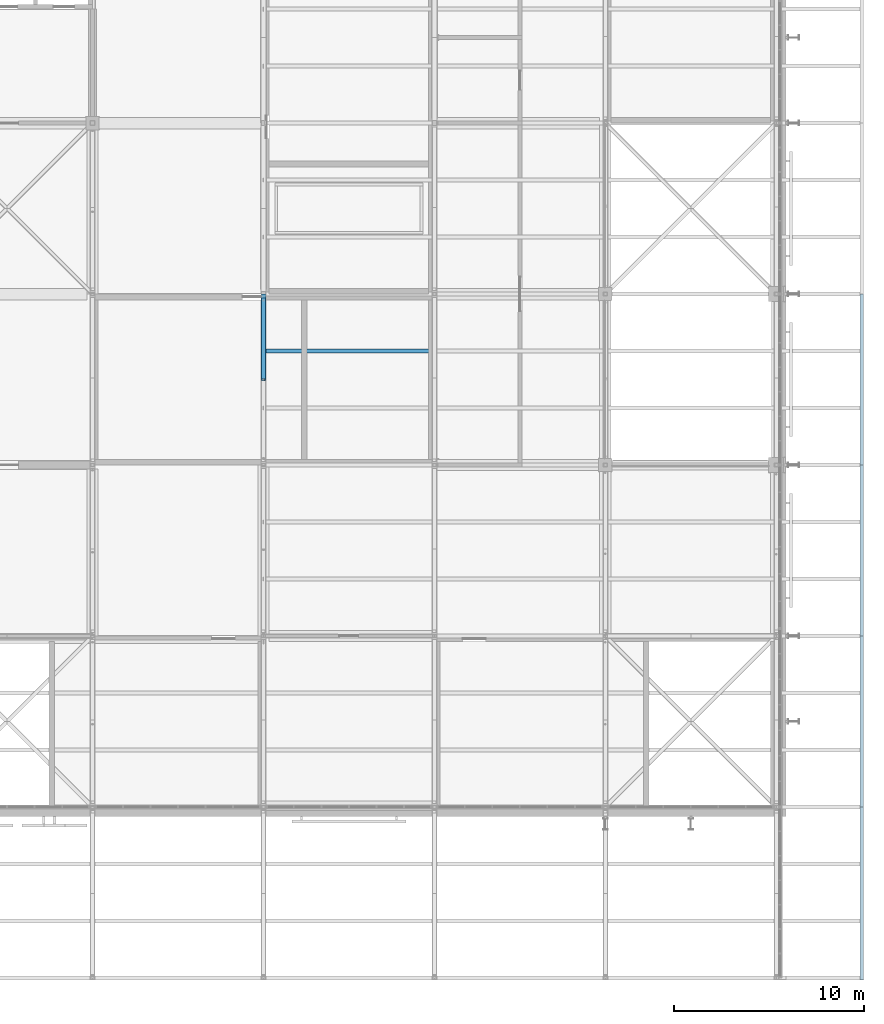
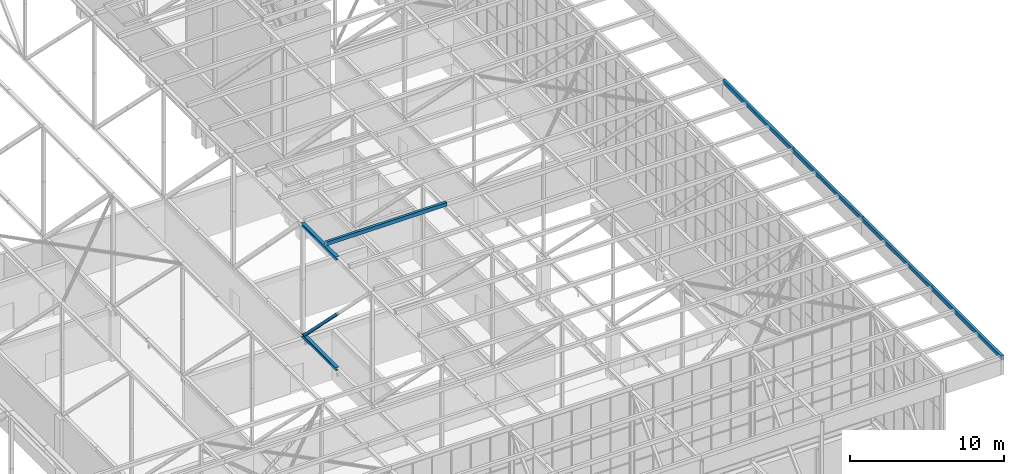
# One storey, part 90 of 646: 8 members.
"""IFC4 building model written with IfcOpenShell, lengths in metres."""

from ifc_helpers import new_model, si_unit, direction, frame, origin, origin_2d, place, context, subcontext, project, spatial, hollow_rectangle, i_section, extrude, material, material_profile, profile_set, type_object, element, save


model = new_model("IFC4")

# Units and contexts
model_context = context("Model", 3, precision=1e-05, world=origin(), true_north=direction((0.0, 1.0)))
body_context = subcontext(model_context, "Body", "Model", "MODEL_VIEW")
ifc_project = project(units=[si_unit("LENGTHUNIT", "METRE"), si_unit("AREAUNIT", "SQUARE_METRE"), si_unit("VOLUMEUNIT", "CUBIC_METRE"), si_unit("PLANEANGLEUNIT", "RADIAN"), si_unit("MASSUNIT", "GRAM", prefix="KILO")], contexts=[model_context])

# Site, building, storey
site_placement = place(None, origin())
site = spatial("IfcSite", under=ifc_project, at=site_placement, CompositionType="ELEMENT")
building_placement = place(site_placement, origin())
building = spatial("IfcBuilding", under=site, at=building_placement, Name="Silverbay Arena", CompositionType="ELEMENT")
storey_placement = place(building_placement, frame((0.0, 0.0, 33.5)))
storey = spatial("IfcBuildingStorey", under=building, at=storey_placement, Name="L05", CompositionType="ELEMENT", Elevation=33.5)

# Members
ifc_material_1 = material(Name="Steel S355", Category="steel")
ifc_material_profile_1 = material_profile(ifc_material_1, i_section(OverallWidth=0.254638671875, OverallDepth=0.254150390625, WebThickness=0.008544921875, FlangeThickness=0.01416015625, at=origin_2d()), Name="UC 254x254x73")
ifc_profile_set_1 = profile_set([ifc_material_profile_1], Name="Steel S355")
member_type_1 = type_object("IfcMemberType", Name="Long-span bottom chord UC 254x254x73", PredefinedType="CHORD", material=ifc_profile_set_1)
member_1_placement = place(storey_placement, frame((180.0, 40.5, 4.126953125), z_axis=(0.0, 1.0, 0.0), x_axis=(-1.0, 0.0, 0.0)))
element("IfcMember", 1, at=member_1_placement, inside=storey, type_object=member_type_1, Name="ROOF TRUSS 21 bottom chord 04b", PredefinedType="CHORD", context=body_context, shape_type="SweptSolid", body=[
    extrude(i_section(OverallWidth=0.254638671875, OverallDepth=0.254150390625, WebThickness=0.008544921875, FlangeThickness=0.01416015625, at=origin_2d()), origin(), (0.0, 0.0, 1.0), 4.5),
])
ifc_material_2 = material(Name="Steel S355", Category="steel")
ifc_material_profile_2 = material_profile(ifc_material_2, i_section(OverallWidth=0.254638671875, OverallDepth=0.254150390625, WebThickness=0.008544921875, FlangeThickness=0.01416015625, at=origin_2d()), Name="UC 254x254x73")
ifc_profile_set_2 = profile_set([ifc_material_profile_2], Name="Steel S355")
member_type_2 = type_object("IfcMemberType", Name="Long-span top chord UC 254x254x73", PredefinedType="CHORD", material=ifc_profile_set_2)
member_2_placement = place(storey_placement, frame((180.0, 40.5, 12.873046875), z_axis=(0.0, 1.0, 0.0), x_axis=(-1.0, 0.0, 0.0)))
element("IfcMember", 2, at=member_2_placement, inside=storey, type_object=member_type_2, Name="ROOF TRUSS 21 top chord 04b", PredefinedType="CHORD", context=body_context, shape_type="SweptSolid", body=[
    extrude(i_section(OverallWidth=0.254638671875, OverallDepth=0.254150390625, WebThickness=0.008544921875, FlangeThickness=0.01416015625, at=origin_2d()), origin(), (0.0, 0.0, 1.0), 4.5),
])
ifc_material_3 = material(Name="Steel S355", Category="steel")
ifc_material_profile_3 = material_profile(ifc_material_3, hollow_rectangle(XDim=0.199951171875, YDim=0.199951171875, WallThickness=0.008056640625, at=origin_2d()), Name="SHS 200x200x8")
ifc_profile_set_3 = profile_set([ifc_material_profile_3], Name="Steel S355")
member_type_3 = type_object("IfcMemberType", Name="Long-span truss diagonal SHS 200x200x8", PredefinedType="BRACE", material=ifc_profile_set_3)
member_3_placement = place(storey_placement, frame((180.0, 40.487548828125, 8.5), z_axis=(0.0, 0.7067609232, -0.707452470091), x_axis=(-1.0, 0.0, 0.0)))
element("IfcMember", 3, at=member_3_placement, inside=storey, type_object=member_type_3, Name="ROOF TRUSS 21 diagonal 04b", PredefinedType="BRACE", context=body_context, shape_type="SweptSolid", body=[
    extrude(hollow_rectangle(XDim=0.199951171875, YDim=0.199951171875, WallThickness=0.008056640625, at=origin_2d()), origin(), (0.0, 0.0, 1.0), 6.001708984375),
])
ifc_material_4 = material(Name="Steel S355", Category="steel")
ifc_material_profile_4 = material_profile(ifc_material_4, hollow_rectangle(XDim=0.199951171875, YDim=0.300048828125, WallThickness=0.00634765625, at=origin_2d()), Name="RHS 300x200x6.3")
ifc_profile_set_4 = profile_set([ifc_material_profile_4], Name="Steel S355")
member_type_4 = type_object("IfcMemberType", Name="Purlin RHS 300x200x6.3", PredefinedType="PURLIN", material=ifc_profile_set_4)
member_4_placement = place(storey_placement, frame((180.0, 42.0, 13.14990234375), z_axis=(1.0, 0.0, 0.0), x_axis=(0.0, 1.0, 0.0)))
element("IfcMember", 4, at=member_4_placement, inside=storey, type_object=member_type_4, Name="ROOF PURLIN 21-22 line 12", PredefinedType="PURLIN", context=body_context, shape_type="SweptSolid", body=[
    extrude(hollow_rectangle(XDim=0.199951171875, YDim=0.300048828125, WallThickness=0.00634765625, at=origin_2d()), origin(), (0.0, 0.0, 1.0), 9.0),
])
ifc_material_5 = material(Name="Steel S355", Category="steel")
ifc_material_profile_5 = material_profile(ifc_material_5, hollow_rectangle(XDim=0.199951171875, YDim=0.300048828125, WallThickness=0.008056640625, at=origin_2d()), Name="RHS 300x200x8")
ifc_profile_set_5 = profile_set([ifc_material_profile_5], Name="Steel S355")
member_type_5 = type_object("IfcMemberType", Name="Purlin RHS 300x200x8", PredefinedType="PURLIN", material=ifc_profile_set_5)
member_5_placement = place(storey_placement, frame((211.5, 8.89990234375, 13.14990234375), z_axis=(0.0, 1.0, 0.0), x_axis=(-1.0, 0.0, 0.0)))
element("IfcMember", 5, at=member_5_placement, inside=storey, type_object=member_type_5, Name="ROOF PURLIN east eave edge 01", PredefinedType="PURLIN", context=body_context, shape_type="SweptSolid", body=[
    extrude(hollow_rectangle(XDim=0.199951171875, YDim=0.300048828125, WallThickness=0.008056640625, at=origin_2d()), origin(), (0.0, 0.0, 1.0), 9.10009765625),
])
for number, where, z_axis, x_axis, name in (
    (6, (211.5, 18.0, 13.14990234375), (0.0, 1.0, 0.0), (-1.0, 0.0, 0.0), "ROOF PURLIN east eave edge 02"),
    (7, (211.5, 27.0, 13.14990234375), (0.0, 1.0, 0.0), (-1.0, 0.0, 0.0), "ROOF PURLIN east eave edge 03"),
    (8, (211.5, 36.0, 13.14990234375), (0.0, 1.0, 0.0), (-1.0, 0.0, 0.0), "ROOF PURLIN east eave edge 04"),
):
    element("IfcMember", number, at=place(storey_placement, frame(where, z_axis=z_axis, x_axis=x_axis)), inside=storey, type_object=member_type_5, Name=name, PredefinedType="PURLIN", context=body_context, shape_type="SweptSolid", body=[
        extrude(hollow_rectangle(XDim=0.199951171875, YDim=0.300048828125, WallThickness=0.008056640625, at=origin_2d()), origin(), (0.0, 0.0, 1.0), 9.0),
    ])

save(model, "model.ifc")
